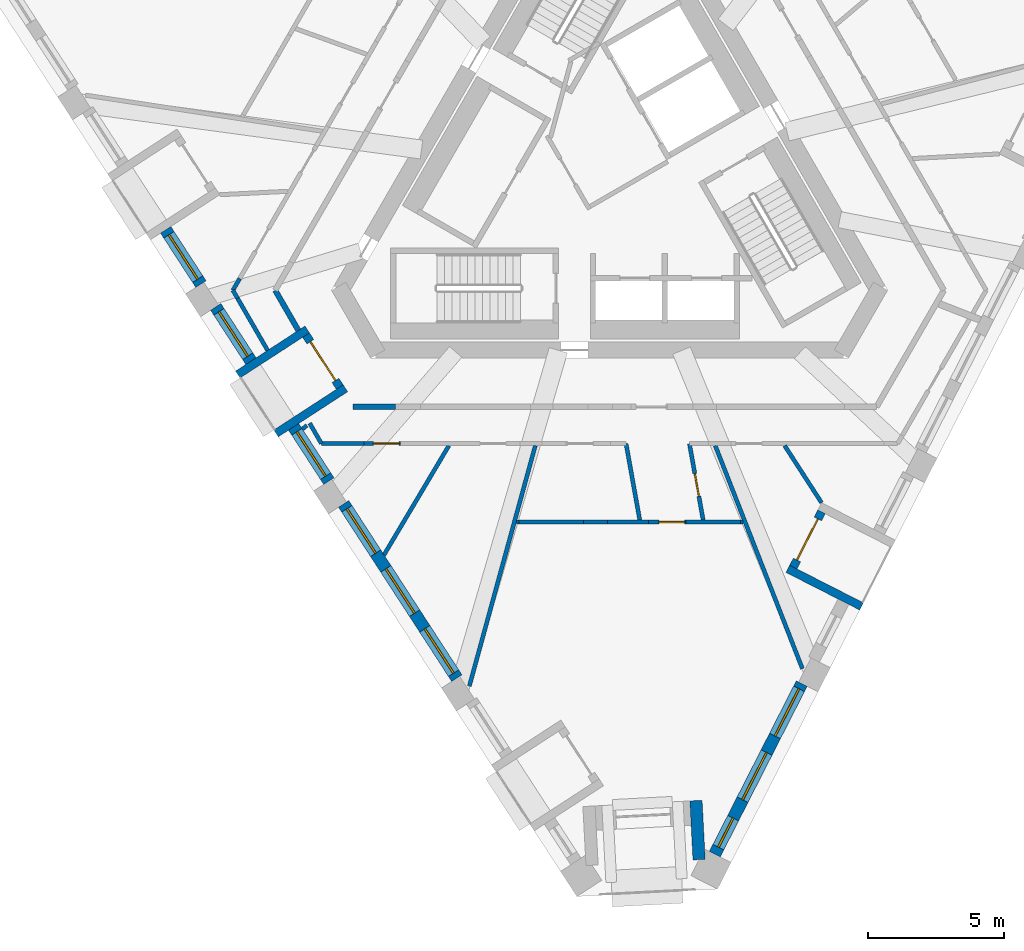
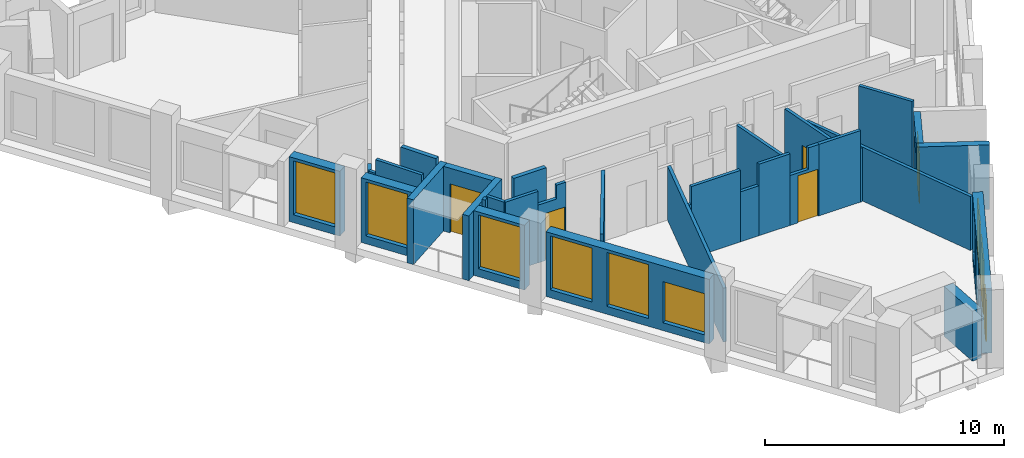
# One storey, part 2 of 12: 33 walls, 9 windows, 5 doors, 14 openings.
"""IFC4 building model written with IfcOpenShell, lengths in metres."""

from ifc_helpers import new_model, si_unit, direction, frame, frame_2d, origin, place, context, subcontext, project, spatial, polyline, rectangle, outline, extrude, material, layer, layer_set, type_object, element, fill, save


model = new_model("IFC4")

# Units and contexts
model_context = context("Model", 3, precision=1e-05, world=origin(), true_north=direction((0.0, 1.0)))
body_context = subcontext(model_context, "Body", "Model", "MODEL_VIEW")
ifc_project = project(units=[si_unit("LENGTHUNIT", "METRE"), si_unit("AREAUNIT", "SQUARE_METRE"), si_unit("VOLUMEUNIT", "CUBIC_METRE"), si_unit("PLANEANGLEUNIT", "RADIAN"), si_unit("MASSUNIT", "GRAM", prefix="KILO")], contexts=[model_context])

# Site, building, storey
site_placement = place(None, origin())
site = spatial("IfcSite", under=ifc_project, at=site_placement, CompositionType="ELEMENT")
building_placement = place(site_placement, origin())
building = spatial("IfcBuilding", under=site, at=building_placement, Name="Tramontana Tower", CompositionType="ELEMENT")
storey_placement = place(building_placement, frame((0.0, 0.0, 274.39990234375)))
storey = spatial("IfcBuildingStorey", under=building, at=storey_placement, Name="L64", CompositionType="ELEMENT", Elevation=274.39990234375)

# Walls
ifc_material_1 = material(Name="Blockwork", Category="masonry")
ifc_layer_1 = layer(ifc_material_1, 0.199951171875)
ifc_layer_set_1 = layer_set([ifc_layer_1], Name="ENTRY WALL 200")
wall_type_1 = type_object("IfcWallType", Name="ENTRY WALL 200", PredefinedType="SOLIDWALL", material=ifc_layer_set_1)
wall_1_placement = place(storey_placement, frame((-7.89599609375, -8.550048828125, 0.0), z_axis=(0.0, 0.0, 1.0), x_axis=(-1.0, 0.0, 0.0)))
element("IfcWall", 1, at=wall_1_placement, inside=storey, type_object=wall_type_1, Name="Wall v70-ew1-11", PredefinedType="SOLIDWALL", context=body_context, shape_type="SweptSolid", body=[
    extrude(rectangle(XDim=1.569580078125, YDim=0.199951171875, at=frame_2d((0.78466796875, 0.0))), origin(), (0.0, 0.0, 1.0), 3.650146484375),
])
wall_2_placement = place(storey_placement, frame((-11.472412109375, -5.729248046875, 0.0), z_axis=(0.0, 0.0, 1.0), x_axis=(-0.499982281718, 0.866035633198, 0.0)))
element("IfcWall", 2, at=wall_2_placement, inside=storey, type_object=wall_type_1, Name="Wall v70-ew2", PredefinedType="SOLIDWALL", context=body_context, shape_type="SweptSolid", body=[
    extrude(rectangle(XDim=1.7080078125, YDim=0.199951171875, at=frame_2d((0.85400390625, 0.0))), origin(), (0.0, 0.0, 1.0), 3.650146484375),
])

# Wall, opening, window
ifc_material_2 = material(Name="Precast concrete 60 MPa", Category="concrete")
ifc_layer_2 = layer(ifc_material_2, 0.449951171875)
ifc_layer_set_2 = layer_set([ifc_layer_2], Name="Precast concrete 60 MPa, 450 mm")
wall_type_2 = type_object("IfcWallType", Name="EW1 Stone-faced precast wall 450", PredefinedType="SOLIDWALL", material=ifc_layer_set_2)
wall_3_placement = place(storey_placement, frame((-16.36376953125, -2.021728515625, 0.0), z_axis=(0.0, 0.0, 1.0), x_axis=(0.544603573947, -0.838693595566, 0.0)))
wall_3 = element("IfcWall", 3, at=wall_3_placement, inside=storey, type_object=wall_type_2, Name="External wall L64 face 0 bay 2", PredefinedType="SOLIDWALL", context=body_context, shape_type="SweptSolid", body=[
    extrude(rectangle(XDim=2.38671875, YDim=0.449951171875, at=frame_2d((1.193359375, 0.0))), origin(), (0.0, 0.0, 1.0), 3.300048828125),
])
opening_1_placement = place(wall_3_placement, frame((0.21826171875, 0.0, 0.39990234375)))
opening_1 = element("IfcOpeningElement", 4, at=opening_1_placement, cuts=wall_3, Name="Opening M3", PredefinedType="OPENING", context=body_context, shape_type="SweptSolid", body=[
    extrude(rectangle(XDim=1.949951171875, YDim=2.75, at=frame_2d((0.97509765625, 1.375))), frame((0.0, 0.23486328125, 0.0), z_axis=(0.0, -1.0, 0.0), x_axis=(1.0, 0.0, 0.0)), (0.0, 0.0, 1.0), 0.469970703125),
])
ifc_material_3 = material(Name="Aluminum frame, double glazing unit", Category="aluminium")
window_type_1 = type_object("IfcWindowType", Name="M3 Window 1.95 x 2.75", PartitioningType="SINGLE_PANEL", PredefinedType="WINDOW", material=ifc_material_3)
window_1_placement = place(opening_1_placement, origin())
window_1 = element("IfcWindow", 5, at=window_1_placement, inside=storey, type_object=window_type_1, Name="Window M3 L64 face 0 module 6", OverallHeight=2.75, OverallWidth=1.949951171875, PartitioningType="SINGLE_PANEL", PredefinedType="WINDOW", context=body_context, shape_type="SweptSolid", body=[
    extrude(rectangle(XDim=1.949951171875, YDim=2.75, at=frame_2d((0.97509765625, 1.375))), frame((0.0, 0.030029296875, 0.0), z_axis=(0.0, -1.0, 0.0), x_axis=(1.0, 0.0, 0.0)), (0.0, 0.0, 1.0), 0.06005859375),
])
fill(opening_1, window_1)

wall_4_placement = place(storey_placement, frame((-14.519287109375, -4.862060546875, 0.0), z_axis=(0.0, 0.0, 1.0), x_axis=(0.544603573947, -0.838693595566, 0.0)))
wall_4 = element("IfcWall", 6, at=wall_4_placement, inside=storey, type_object=wall_type_2, Name="External wall L64 face 0 bay 3", PredefinedType="SOLIDWALL", context=body_context, shape_type="SweptSolid", body=[
    extrude(rectangle(XDim=2.38671875, YDim=0.449951171875, at=frame_2d((1.193359375, 0.0))), origin(), (0.0, 0.0, 1.0), 3.300048828125),
])
opening_2_placement = place(wall_4_placement, frame((0.21826171875, 0.0, 0.39990234375)))
opening_2 = element("IfcOpeningElement", 7, at=opening_2_placement, cuts=wall_4, Name="Opening M3", PredefinedType="OPENING", context=body_context, shape_type="SweptSolid", body=[
    extrude(rectangle(XDim=1.949951171875, YDim=2.75, at=frame_2d((0.97509765625, 1.375))), frame((0.0, 0.23486328125, 0.0), z_axis=(0.0, -1.0, 0.0), x_axis=(1.0, 0.0, 0.0)), (0.0, 0.0, 1.0), 0.469970703125),
])
window_2_placement = place(opening_2_placement, origin())
window_2 = element("IfcWindow", 8, at=window_2_placement, inside=storey, type_object=window_type_1, Name="Window M3 L64 face 0 module 7", OverallHeight=2.75, OverallWidth=1.949951171875, PartitioningType="SINGLE_PANEL", PredefinedType="WINDOW", context=body_context, shape_type="SweptSolid", body=[
    extrude(rectangle(XDim=1.949951171875, YDim=2.75, at=frame_2d((0.97509765625, 1.375))), frame((0.0, 0.030029296875, 0.0), z_axis=(0.0, -1.0, 0.0), x_axis=(1.0, 0.0, 0.0)), (0.0, 0.0, 1.0), 0.06005859375),
])
fill(opening_2, window_2)

wall_5_placement = place(storey_placement, frame((-11.647216796875, -9.284912109375, 0.0), z_axis=(0.0, 0.0, 1.0), x_axis=(0.544722247615, -0.838616523182, 0.0)))
wall_5 = element("IfcWall", 9, at=wall_5_placement, inside=storey, type_object=wall_type_2, Name="External wall L64 face 0 bay 3", PredefinedType="SOLIDWALL", context=body_context, shape_type="SweptSolid", body=[
    extrude(rectangle(XDim=2.38671875, YDim=0.449951171875, at=frame_2d((1.193359375, 0.0))), origin(), (0.0, 0.0, 1.0), 3.300048828125),
])
opening_3_placement = place(wall_5_placement, frame((0.21826171875, 0.0, 0.39990234375)))
opening_3 = element("IfcOpeningElement", 10, at=opening_3_placement, cuts=wall_5, Name="Opening M3", PredefinedType="OPENING", context=body_context, shape_type="SweptSolid", body=[
    extrude(rectangle(XDim=1.949951171875, YDim=2.75, at=frame_2d((0.97509765625, 1.375))), frame((0.0, 0.23486328125, 0.0), z_axis=(0.0, -1.0, 0.0), x_axis=(1.0, 0.0, 0.0)), (0.0, 0.0, 1.0), 0.469970703125),
])
window_3_placement = place(opening_3_placement, origin())
window_3 = element("IfcWindow", 11, at=window_3_placement, inside=storey, type_object=window_type_1, Name="Window M3 L64 face 0 module 9", OverallHeight=2.75, OverallWidth=1.949951171875, PartitioningType="SINGLE_PANEL", PredefinedType="WINDOW", context=body_context, shape_type="SweptSolid", body=[
    extrude(rectangle(XDim=1.949951171875, YDim=2.75, at=frame_2d((0.97509765625, 1.375))), frame((0.0, 0.030029296875, 0.0), z_axis=(0.0, -1.0, 0.0), x_axis=(1.0, 0.0, 0.0)), (0.0, 0.0, 1.0), 0.06005859375),
])
fill(opening_3, window_3)

# Wall, openings, windows
wall_6_placement = place(storey_placement, frame((-9.802734375, -12.125244140625, 0.0), z_axis=(0.0, 0.0, 1.0), x_axis=(0.544649987904, -0.838663454954, 0.0)))
wall_6 = element("IfcWall", 12, at=wall_6_placement, inside=storey, type_object=wall_type_2, Name="External wall L64 face 0 bay 4", PredefinedType="SOLIDWALL", context=body_context, shape_type="SweptSolid", body=[
    extrude(rectangle(XDim=7.66015625, YDim=0.449951171875, at=frame_2d((3.830078125, 0.0))), origin(), (0.0, 0.0, 1.0), 3.300048828125),
])
opening_4_placement = place(wall_6_placement, frame((0.21826171875, 0.0, 0.39990234375)))
opening_4 = element("IfcOpeningElement", 13, at=opening_4_placement, cuts=wall_6, Name="Opening M3", PredefinedType="OPENING", context=body_context, shape_type="SweptSolid", body=[
    extrude(rectangle(XDim=1.949951171875, YDim=2.75, at=frame_2d((0.97509765625, 1.375))), frame((0.0, 0.23486328125, 0.0), z_axis=(0.0, -1.0, 0.0), x_axis=(1.0, 0.0, 0.0)), (0.0, 0.0, 1.0), 0.469970703125),
])
opening_5_placement = place(wall_6_placement, frame((2.855224609375, 0.0, 0.39990234375)))
opening_5 = element("IfcOpeningElement", 14, at=opening_5_placement, cuts=wall_6, Name="Opening M3", PredefinedType="OPENING", context=body_context, shape_type="SweptSolid", body=[
    extrude(rectangle(XDim=1.949951171875, YDim=2.75, at=frame_2d((0.97509765625, 1.375))), frame((0.0, 0.23486328125, 0.0), z_axis=(0.0, -1.0, 0.0), x_axis=(1.0, 0.0, 0.0)), (0.0, 0.0, 1.0), 0.469970703125),
])
opening_6_placement = place(wall_6_placement, frame((5.491943359375, 0.0, 0.39990234375)))
opening_6 = element("IfcOpeningElement", 15, at=opening_6_placement, cuts=wall_6, Name="Opening M3L", PredefinedType="OPENING", context=body_context, shape_type="SweptSolid", body=[
    extrude(rectangle(XDim=1.949951171875, YDim=2.10009765625, at=frame_2d((0.97509765625, 1.050048828125))), frame((0.0, 0.23486328125, 0.0), z_axis=(0.0, -1.0, 0.0), x_axis=(1.0, 0.0, 0.0)), (0.0, 0.0, 1.0), 0.469970703125),
])
window_4_placement = place(opening_4_placement, origin())
window_4 = element("IfcWindow", 16, at=window_4_placement, inside=storey, type_object=window_type_1, Name="Window M3 L64 face 0 module 10", OverallHeight=2.75, OverallWidth=1.949951171875, PartitioningType="SINGLE_PANEL", PredefinedType="WINDOW", context=body_context, shape_type="SweptSolid", body=[
    extrude(rectangle(XDim=1.949951171875, YDim=2.75, at=frame_2d((0.97509765625, 1.375))), frame((0.0, 0.030029296875, 0.0), z_axis=(0.0, -1.0, 0.0), x_axis=(1.0, 0.0, 0.0)), (0.0, 0.0, 1.0), 0.06005859375),
])
fill(opening_4, window_4)
window_5_placement = place(opening_5_placement, origin())
window_5 = element("IfcWindow", 17, at=window_5_placement, inside=storey, type_object=window_type_1, Name="Window M3 L64 face 0 module 11", OverallHeight=2.75, OverallWidth=1.949951171875, PartitioningType="SINGLE_PANEL", PredefinedType="WINDOW", context=body_context, shape_type="SweptSolid", body=[
    extrude(rectangle(XDim=1.949951171875, YDim=2.75, at=frame_2d((0.97509765625, 1.375))), frame((0.0, 0.030029296875, 0.0), z_axis=(0.0, -1.0, 0.0), x_axis=(1.0, 0.0, 0.0)), (0.0, 0.0, 1.0), 0.06005859375),
])
fill(opening_5, window_5)
ifc_material_4 = material(Name="Aluminum frame, double glazing unit", Category="aluminium")
window_type_2 = type_object("IfcWindowType", Name="M3L Window 1.95 x 2.1", PartitioningType="SINGLE_PANEL", PredefinedType="WINDOW", material=ifc_material_4)
window_6_placement = place(opening_6_placement, origin())
window_6 = element("IfcWindow", 18, at=window_6_placement, inside=storey, type_object=window_type_2, Name="Window M3L L64 face 0 module 12", OverallHeight=2.10009765625, OverallWidth=1.949951171875, PartitioningType="SINGLE_PANEL", PredefinedType="WINDOW", context=body_context, shape_type="SweptSolid", body=[
    extrude(rectangle(XDim=1.949951171875, YDim=2.10009765625, at=frame_2d((0.97509765625, 1.050048828125))), frame((0.0, 0.030029296875, 0.0), z_axis=(0.0, -1.0, 0.0), x_axis=(1.0, 0.0, 0.0)), (0.0, 0.0, 1.0), 0.06005859375),
])
fill(opening_6, window_6)

wall_7_placement = place(storey_placement, frame((3.87939453125, -25.041259765625, 0.0), z_axis=(0.0, 0.0, 1.0), x_axis=(0.453992084912, 0.891005716501, 0.0)))
wall_7 = element("IfcWall", 19, at=wall_7_placement, inside=storey, type_object=wall_type_2, Name="External wall L64 face 1 bay 1", PredefinedType="SOLIDWALL", context=body_context, shape_type="SweptSolid", body=[
    extrude(rectangle(XDim=7.060302734375, YDim=0.449951171875, at=frame_2d((3.5302734375, 0.0))), origin(), (0.0, 0.0, 1.0), 3.300048828125),
])
opening_7_placement = place(wall_7_placement, frame((0.29345703125, 0.0, 0.39990234375)))
opening_7 = element("IfcOpeningElement", 20, at=opening_7_placement, cuts=wall_7, Name="Opening N3L", PredefinedType="OPENING", context=body_context, shape_type="SweptSolid", body=[
    extrude(rectangle(XDim=1.199951171875, YDim=2.10009765625, at=frame_2d((0.60009765625, 1.050048828125))), frame((0.0, 0.23486328125, 0.0), z_axis=(0.0, -1.0, 0.0), x_axis=(1.0, 0.0, 0.0)), (0.0, 0.0, 1.0), 0.469970703125),
])
opening_8_placement = place(wall_7_placement, frame((2.255126953125, 0.0, 0.39990234375)))
opening_8 = element("IfcOpeningElement", 21, at=opening_8_placement, cuts=wall_7, Name="Opening M3", PredefinedType="OPENING", context=body_context, shape_type="SweptSolid", body=[
    extrude(rectangle(XDim=1.949951171875, YDim=2.75, at=frame_2d((0.97509765625, 1.375))), frame((0.0, 0.23486328125, 0.0), z_axis=(0.0, -1.0, 0.0), x_axis=(1.0, 0.0, 0.0)), (0.0, 0.0, 1.0), 0.469970703125),
])
opening_9_placement = place(wall_7_placement, frame((4.891845703125, 0.0, 0.39990234375)))
opening_9 = element("IfcOpeningElement", 22, at=opening_9_placement, cuts=wall_7, Name="Opening M3", PredefinedType="OPENING", context=body_context, shape_type="SweptSolid", body=[
    extrude(rectangle(XDim=1.949951171875, YDim=2.75, at=frame_2d((0.97509765625, 1.375))), frame((0.0, 0.23486328125, 0.0), z_axis=(0.0, -1.0, 0.0), x_axis=(1.0, 0.0, 0.0)), (0.0, 0.0, 1.0), 0.469970703125),
])
window_7_placement = place(opening_8_placement, origin())
window_7 = element("IfcWindow", 23, at=window_7_placement, inside=storey, type_object=window_type_1, Name="Window M3 L64 face 1 module 2", OverallHeight=2.75, OverallWidth=1.949951171875, PartitioningType="SINGLE_PANEL", PredefinedType="WINDOW", context=body_context, shape_type="SweptSolid", body=[
    extrude(rectangle(XDim=1.949951171875, YDim=2.75, at=frame_2d((0.97509765625, 1.375))), frame((0.0, 0.030029296875, 0.0), z_axis=(0.0, -1.0, 0.0), x_axis=(1.0, 0.0, 0.0)), (0.0, 0.0, 1.0), 0.06005859375),
])
fill(opening_8, window_7)
window_8_placement = place(opening_9_placement, origin())
window_8 = element("IfcWindow", 24, at=window_8_placement, inside=storey, type_object=window_type_1, Name="Window M3 L64 face 1 module 3", OverallHeight=2.75, OverallWidth=1.949951171875, PartitioningType="SINGLE_PANEL", PredefinedType="WINDOW", context=body_context, shape_type="SweptSolid", body=[
    extrude(rectangle(XDim=1.949951171875, YDim=2.75, at=frame_2d((0.97509765625, 1.375))), frame((0.0, 0.030029296875, 0.0), z_axis=(0.0, -1.0, 0.0), x_axis=(1.0, 0.0, 0.0)), (0.0, 0.0, 1.0), 0.06005859375),
])
fill(opening_9, window_8)
ifc_material_5 = material(Name="Aluminum frame, double glazing unit", Category="aluminium")
window_type_3 = type_object("IfcWindowType", Name="N3L Window 1.2 x 2.1", PartitioningType="SINGLE_PANEL", PredefinedType="WINDOW", material=ifc_material_5)
window_9_placement = place(opening_7_placement, origin())
window_9 = element("IfcWindow", 25, at=window_9_placement, inside=storey, type_object=window_type_3, Name="Window N3L L64 face 1 module 1", OverallHeight=2.10009765625, OverallWidth=1.199951171875, PartitioningType="SINGLE_PANEL", PredefinedType="WINDOW", context=body_context, shape_type="SweptSolid", body=[
    extrude(rectangle(XDim=1.199951171875, YDim=2.10009765625, at=frame_2d((0.60009765625, 1.050048828125))), frame((0.0, 0.030029296875, 0.0), z_axis=(0.0, -1.0, 0.0), x_axis=(1.0, 0.0, 0.0)), (0.0, 0.0, 1.0), 0.06005859375),
])
fill(opening_7, window_9)

# Wall
wall_8_placement = place(storey_placement, frame((3.300537109375, -25.240966796875, 0.0), z_axis=(0.0, 0.0, 1.0), x_axis=(-0.052323605405, 0.998630181958, 0.0)))
element("IfcWall", 26, at=wall_8_placement, inside=storey, type_object=wall_type_2, Name="Corner loggia side wall L64 K71l", PredefinedType="SOLIDWALL", context=body_context, shape_type="SweptSolid", body=[
    extrude(rectangle(XDim=2.178955078125, YDim=0.449951171875, at=frame_2d((1.08935546875, 0.0))), origin(), (0.0, 0.0, 1.0), 2.550048828125),
])

# Wall, opening, door
ifc_material_6 = material(Name="Precast concrete 60 MPa", Category="concrete")
ifc_layer_3 = layer(ifc_material_6, 0.300048828125)
ifc_layer_set_3 = layer_set([ifc_layer_3], Name="LW1 Stone-faced loggia wall 300")
wall_type_3 = type_object("IfcWallType", Name="LW1 Stone-faced loggia wall 300", PredefinedType="SOLIDWALL", material=ifc_layer_set_3)
wall_9_placement = place(storey_placement, frame((-11.18994140625, -5.903564453125, 0.0), z_axis=(0.0, 0.0, 1.0), x_axis=(0.544631777146, -0.838675281216, 0.0)))
wall_9 = element("IfcWall", 27, at=wall_9_placement, inside=storey, type_object=wall_type_3, Name="Loggia wall L64 G7S0.7", PredefinedType="SOLIDWALL", context=body_context, shape_type="SweptSolid", body=[
    extrude(rectangle(XDim=2.28662109375, YDim=0.300048828125, at=frame_2d((1.143310546875, 0.0))), origin(), (0.0, 0.0, 1.0), 3.300048828125),
])
opening_10_placement = place(wall_9_placement, frame((0.29345703125, 0.0, 0.0)))
opening_10 = element("IfcOpeningElement", 28, at=opening_10_placement, cuts=wall_9, Name="Opening BD-7S0-07", PredefinedType="OPENING", context=body_context, shape_type="SweptSolid", body=[
    extrude(rectangle(XDim=1.699951171875, YDim=2.5, at=frame_2d((0.85009765625, 1.25))), frame((0.0, 0.159912109375, 0.0), z_axis=(0.0, -1.0, 0.0), x_axis=(1.0, 0.0, 0.0)), (0.0, 0.0, 1.0), 0.320068359375),
])
ifc_material_7 = material(Name="Aluminum frame, double glazing unit", Category="aluminium")
door_type_1 = type_object("IfcDoorType", Name="BD3 Sliding door 1.7 x 2.5", OperationType="SLIDING_TO_LEFT", PredefinedType="DOOR", material=ifc_material_7)
door_1_placement = place(opening_10_placement, origin())
door_1 = element("IfcDoor", 29, at=door_1_placement, inside=storey, type_object=door_type_1, Name="Loggia door L64 G7S0.7", OperationType="SLIDING_TO_LEFT", OverallHeight=2.5, OverallWidth=1.699951171875, PredefinedType="DOOR", context=body_context, shape_type="SweptSolid", body=[
    extrude(rectangle(XDim=1.699951171875, YDim=2.5, at=frame_2d((0.85009765625, 1.25))), frame((0.0, 0.02490234375, 0.0), z_axis=(0.0, -1.0, 0.0), x_axis=(1.0, 0.0, 0.0)), (0.0, 0.0, 1.0), 0.050048828125),
])
fill(opening_10, door_1)

# Walls
wall_10_placement = place(storey_placement, frame((-13.703857421875, -7.357177734375, 0.0), z_axis=(0.0, 0.0, 1.0), x_axis=(0.838688583525, 0.544611292451, 0.0)))
element("IfcWall", 30, at=wall_10_placement, inside=storey, type_object=wall_type_3, Name="Loggia return L64 G7S0.7a", PredefinedType="SOLIDWALL", context=body_context, shape_type="SweptSolid", body=[
    extrude(rectangle(XDim=3.050048828125, YDim=0.300048828125, at=frame_2d((1.52490234375, 0.0))), origin(), (0.0, 0.0, 1.0), 3.300048828125),
])
wall_11_placement = place(storey_placement, frame((-12.294921875, -9.526611328125, 0.0), z_axis=(0.0, 0.0, 1.0), x_axis=(0.838664840319, 0.544647854685, 0.0)))
element("IfcWall", 31, at=wall_11_placement, inside=storey, type_object=wall_type_3, Name="Loggia return L64 G7S0.7b", PredefinedType="SOLIDWALL", context=body_context, shape_type="SweptSolid", body=[
    extrude(rectangle(XDim=3.0498046875, YDim=0.300048828125, at=frame_2d((1.52490234375, 0.0))), origin(), (0.0, 0.0, 1.0), 3.300048828125),
])

# Wall, opening, door
wall_12_placement = place(storey_placement, frame((6.77587890625, -14.455322265625, 0.0), z_axis=(0.0, 0.0, 1.0), x_axis=(0.454076116559, 0.890962895058, 0.0)))
wall_12 = element("IfcWall", 32, at=wall_12_placement, inside=storey, type_object=wall_type_3, Name="Loggia wall L64 G7S1.4", PredefinedType="SOLIDWALL", context=body_context, shape_type="SweptSolid", body=[
    extrude(rectangle(XDim=2.28662109375, YDim=0.300048828125, at=frame_2d((1.143310546875, 0.0))), origin(), (0.0, 0.0, 1.0), 3.300048828125),
])
opening_11_placement = place(wall_12_placement, frame((0.29345703125, 0.0, 0.0)))
opening_11 = element("IfcOpeningElement", 33, at=opening_11_placement, cuts=wall_12, Name="Opening BD-7S1-04", PredefinedType="OPENING", context=body_context, shape_type="SweptSolid", body=[
    extrude(rectangle(XDim=1.699951171875, YDim=2.5, at=frame_2d((0.85009765625, 1.25))), frame((0.0, 0.159912109375, 0.0), z_axis=(0.0, -1.0, 0.0), x_axis=(1.0, 0.0, 0.0)), (0.0, 0.0, 1.0), 0.320068359375),
])
door_2_placement = place(opening_11_placement, origin())
door_2 = element("IfcDoor", 34, at=door_2_placement, inside=storey, type_object=door_type_1, Name="Loggia door L64 G7S1.4", OperationType="SLIDING_TO_LEFT", OverallHeight=2.5, OverallWidth=1.699951171875, PredefinedType="DOOR", context=body_context, shape_type="SweptSolid", body=[
    extrude(rectangle(XDim=1.699951171875, YDim=2.5, at=frame_2d((0.85009765625, 1.25))), frame((0.0, 0.02490234375, 0.0), z_axis=(0.0, -1.0, 0.0), x_axis=(1.0, 0.0, 0.0)), (0.0, 0.0, 1.0), 0.050048828125),
])
fill(opening_11, door_2)

# Walls
wall_13_placement = place(storey_placement, frame((9.291748046875, -15.905517578125, 0.0), z_axis=(0.0, 0.0, 1.0), x_axis=(-0.891023613249, 0.453956959009, 0.0)))
element("IfcWall", 35, at=wall_13_placement, inside=storey, type_object=wall_type_3, Name="Loggia return L64 G7S1.4a", PredefinedType="SOLIDWALL", context=body_context, shape_type="SweptSolid", body=[
    extrude(rectangle(XDim=3.0498046875, YDim=0.300048828125, at=frame_2d((1.52490234375, 0.0))), origin(), (0.0, 0.0, 1.0), 3.300048828125),
])
ifc_material_8 = material(Name="Gypsum board partition")
ifc_layer_4 = layer(ifc_material_8, 0.14990234375)
ifc_layer_set_4 = layer_set([ifc_layer_4], Name="PARTITION 150")
wall_type_4 = type_object("IfcWallType", Name="PARTITION 150", PredefinedType="PARTITIONING", material=ifc_layer_set_4)
wall_14_placement = place(storey_placement, frame((-13.88525390625, -4.25, 0.0), z_axis=(0.0, 0.0, 1.0), x_axis=(0.499904868165, 0.866080321209, 0.0)))
element("IfcWall", 36, at=wall_14_placement, inside=storey, type_object=wall_type_4, Name="Wall v70-pw00-0", PredefinedType="PARTITIONING", context=body_context, shape_type="SweptSolid", body=[
    extrude(rectangle(XDim=0.501953125, YDim=0.14990234375, at=frame_2d((0.2509765625, 0.0))), origin(), (0.0, 0.0, 1.0), 2.9501953125),
])
wall_15_placement = place(storey_placement, frame((-12.606201171875, -6.46533203125, 0.0), z_axis=(0.0, 0.0, 1.0), x_axis=(-0.500024353964, 0.86601134256, 0.0)))
element("IfcWall", 37, at=wall_15_placement, inside=storey, type_object=wall_type_4, Name="Wall v70-pw03-0", PredefinedType="PARTITIONING", context=body_context, shape_type="SweptSolid", body=[
    extrude(rectangle(XDim=2.216796875, YDim=0.14990234375, at=frame_2d((1.1083984375, 0.0))), origin(), (0.0, 0.0, 1.0), 3.650146484375),
])
wall_16_placement = place(storey_placement, frame((-13.714599609375, -4.545654296875, 0.0), z_axis=(0.0, 0.0, 1.0), x_axis=(-0.499908181442, 0.866078408764, 0.0)))
element("IfcWall", 38, at=wall_16_placement, inside=storey, type_object=wall_type_4, Name="Wall v70-pw03-1", PredefinedType="PARTITIONING", context=body_context, shape_type="SweptSolid", body=[
    extrude(rectangle(XDim=0.34130859375, YDim=0.14990234375, at=frame_2d((0.170654296875, 0.0))), origin(), (0.0, 0.0, 1.0), 2.9501953125),
])
wall_17_placement = place(storey_placement, frame((-11.158935546875, -9.23193359375, 0.0), z_axis=(0.0, 0.0, 1.0), x_axis=(-0.770548519297, -0.637381345357, 0.0)))
element("IfcWall", 39, at=wall_17_placement, inside=storey, type_object=wall_type_4, Name="Wall v70-pw05", PredefinedType="PARTITIONING", context=body_context, shape_type="SweptSolid", body=[
    extrude(rectangle(XDim=0.214599609375, YDim=0.14990234375, at=frame_2d((0.107421875, 0.0))), origin(), (0.0, 0.0, 1.0), 3.650146484375),
])
wall_18_placement = place(storey_placement, frame((-10.623291015625, -9.89990234375, 0.0), z_axis=(0.0, 0.0, 1.0), x_axis=(-0.499999740363, 0.866025553686, 0.0)))
element("IfcWall", 40, at=wall_18_placement, inside=storey, type_object=wall_type_4, Name="Wall v70-pw06", PredefinedType="PARTITIONING", context=body_context, shape_type="SweptSolid", body=[
    extrude(rectangle(XDim=0.86376953125, YDim=0.14990234375, at=frame_2d((0.431884765625, 0.0))), origin(), (0.0, 0.0, 1.0), 3.650146484375),
])
wall_19_placement = place(storey_placement, frame((-8.31396484375, -14.00439453125, 0.0), z_axis=(0.0, 0.0, 1.0), x_axis=(0.510490601778, 0.859883332491, 0.0)))
element("IfcWall", 41, at=wall_19_placement, inside=storey, type_object=wall_type_4, Name="Wall v70-pw09", PredefinedType="PARTITIONING", context=body_context, shape_type="SweptSolid", body=[
    extrude(rectangle(XDim=4.685791015625, YDim=0.14990234375, at=frame_2d((2.3427734375, 0.0))), origin(), (0.0, 0.0, 1.0), 3.650146484375),
])
wall_20_placement = place(storey_placement, frame((-5.16943359375, -18.846435546875, 0.0), z_axis=(0.0, 0.0, 1.0), x_axis=(0.264522923164, 0.964379397914, 0.0)))
element("IfcWall", 42, at=wall_20_placement, inside=storey, type_object=wall_type_4, Name="Wall v70-pw11-0", PredefinedType="PARTITIONING", context=body_context, shape_type="SweptSolid", body=[
    extrude(rectangle(XDim=9.198974609375, YDim=0.14990234375, at=frame_2d((4.599609375, 0.0))), origin(), (0.0, 0.0, 1.0), 2.75),
])

# Wall, opening, door
wall_21_placement = place(storey_placement, frame((-7.703857421875, -9.89990234375, 0.0), z_axis=(0.0, 0.0, 1.0), x_axis=(-1.0, 0.0, 0.0)))
wall_21 = element("IfcWall", 43, at=wall_21_placement, inside=storey, type_object=wall_type_4, Name="Wall v70-pw14-5", PredefinedType="PARTITIONING", context=body_context, shape_type="SweptSolid", body=[
    extrude(outline(polyline([(0.0, 0.0), (1.348876953125, 0.0), (1.34912109375, 2.9501953125), (0.45458984375, 2.9501953125), (0.45458984375, 3.650146484375), (0.0, 3.650146484375), (0.0, 0.0)])), frame((0.0, 0.074951171875, 0.0), z_axis=(0.0, -1.0, 0.0), x_axis=(1.0, 0.0, 0.0)), (0.0, 0.0, 1.0), 0.14990234375),
])
opening_12_placement = place(wall_21_placement, frame((0.050048828125, 0.0, 0.0)))
opening_12 = element("IfcOpeningElement", 44, at=opening_12_placement, cuts=wall_21, Name="Opening B7A-11", PredefinedType="OPENING", context=body_context, shape_type="SweptSolid", body=[
    extrude(rectangle(XDim=0.949951171875, YDim=2.39990234375, at=frame_2d((0.47509765625, 1.199951171875))), frame((0.0, 0.0849609375, 0.0), z_axis=(0.0, -1.0, 0.0), x_axis=(1.0, 0.0, 0.0)), (0.0, 0.0, 1.0), 0.169921875),
])
ifc_material_9 = material(Name="Painted timber", Category="wood")
door_type_2 = type_object("IfcDoorType", Name="DOOR ROOM 950", OperationType="SINGLE_SWING_LEFT", PredefinedType="DOOR", material=ifc_material_9)
door_3_placement = place(opening_12_placement, origin())
door_3 = element("IfcDoor", 45, at=door_3_placement, inside=storey, type_object=door_type_2, Name="Door B7A-11", OperationType="SINGLE_SWING_LEFT", OverallHeight=2.39990234375, OverallWidth=0.949951171875, PredefinedType="DOOR", context=body_context, shape_type="SweptSolid", body=[
    extrude(rectangle(XDim=0.949951171875, YDim=2.39990234375, at=frame_2d((0.47509765625, 1.199951171875))), frame((0.0, 0.02490234375, 0.0), z_axis=(0.0, -1.0, 0.0), x_axis=(1.0, 0.0, 0.0)), (0.0, 0.0, 1.0), 0.050048828125),
])
fill(opening_12, door_3)

# Walls
wall_22_placement = place(storey_placement, frame((-9.052734375, -9.89990234375, 0.0), z_axis=(0.0, 0.0, 1.0), x_axis=(-1.0, 0.0, 0.0)))
element("IfcWall", 46, at=wall_22_placement, inside=storey, type_object=wall_type_4, Name="Wall v70-pw14-6", PredefinedType="PARTITIONING", context=body_context, shape_type="SweptSolid", body=[
    extrude(rectangle(XDim=1.5703125, YDim=0.14990234375, at=frame_2d((0.78515625, 0.0))), origin(), (0.0, 0.0, 1.0), 3.650146484375),
])
wall_23_placement = place(storey_placement, frame((1.1279296875, -12.797119140625, 0.0), z_axis=(0.0, 0.0, 1.0), x_axis=(-0.176626932502, 0.984277870682, 0.0)))
element("IfcWall", 47, at=wall_23_placement, inside=storey, type_object=wall_type_4, Name="Wall v70-pw16", PredefinedType="PARTITIONING", context=body_context, shape_type="SweptSolid", body=[
    extrude(rectangle(XDim=2.93994140625, YDim=0.14990234375, at=frame_2d((1.469970703125, 0.0))), origin(), (0.0, 0.0, 1.0), 3.650146484375),
])

# Wall, opening, door
wall_24_placement = place(storey_placement, frame((2.945556640625, -9.90478515625, 0.0), z_axis=(0.0, 0.0, 1.0), x_axis=(0.17664289563, -0.984275005993, 0.0)))
wall_24 = element("IfcWall", 48, at=wall_24_placement, inside=storey, type_object=wall_type_4, Name="Wall v70-pw17", PredefinedType="PARTITIONING", context=body_context, shape_type="SweptSolid", body=[
    extrude(rectangle(XDim=2.865234375, YDim=0.14990234375, at=frame_2d((1.4326171875, 0.0))), origin(), (0.0, 0.0, 1.0), 3.650146484375),
])
opening_13_placement = place(wall_24_placement, frame((1.1201171875, 0.0, 0.0)))
opening_13 = element("IfcOpeningElement", 49, at=opening_13_placement, cuts=wall_24, Name="Opening B7A-08", PredefinedType="OPENING", context=body_context, shape_type="SweptSolid", body=[
    extrude(rectangle(XDim=0.85009765625, YDim=2.39990234375, at=frame_2d((0.425048828125, 1.199951171875))), frame((0.0, 0.0849609375, 0.0), z_axis=(0.0, -1.0, 0.0), x_axis=(1.0, 0.0, 0.0)), (0.0, 0.0, 1.0), 0.169921875),
])
ifc_material_10 = material(Name="Painted timber", Category="wood")
door_type_3 = type_object("IfcDoorType", Name="DOOR BATH 850", OperationType="SINGLE_SWING_LEFT", PredefinedType="DOOR", material=ifc_material_10)
door_4_placement = place(opening_13_placement, origin())
door_4 = element("IfcDoor", 50, at=door_4_placement, inside=storey, type_object=door_type_3, Name="Door B7A-08", OperationType="SINGLE_SWING_RIGHT", OverallHeight=2.39990234375, OverallWidth=0.85009765625, PredefinedType="DOOR", context=body_context, shape_type="SweptSolid", body=[
    extrude(rectangle(XDim=0.85009765625, YDim=2.39990234375, at=frame_2d((0.425048828125, 1.199951171875))), frame((0.0, 0.02490234375, 0.0), z_axis=(0.0, -1.0, 0.0), x_axis=(1.0, 0.0, 0.0)), (0.0, 0.0, 1.0), 0.050048828125),
])
fill(opening_13, door_4)

# Walls
wall_25_placement = place(storey_placement, frame((3.89697265625, -9.97509765625, 0.0), z_axis=(0.0, 0.0, 1.0), x_axis=(0.363873008582, -0.931448567354, 0.0)))
element("IfcWall", 51, at=wall_25_placement, inside=storey, type_object=wall_type_4, Name="Wall v70-pw19-0", PredefinedType="PARTITIONING", context=body_context, shape_type="SweptSolid", body=[
    extrude(rectangle(XDim=8.8330078125, YDim=0.14990234375, at=frame_2d((4.41650390625, 0.0))), origin(), (0.0, 0.0, 1.0), 2.75),
])
wall_26_placement = place(storey_placement, frame((4.919921875, -12.800048828125, 0.0), z_axis=(0.0, 0.0, 1.0), x_axis=(-1.0, 0.0, 0.0)))
element("IfcWall", 52, at=wall_26_placement, inside=storey, type_object=wall_type_4, Name="Wall v70-pw20-0", PredefinedType="PARTITIONING", context=body_context, shape_type="SweptSolid", body=[
    extrude(rectangle(XDim=0.09033203125, YDim=0.14990234375, at=frame_2d((0.045166015625, 0.0))), origin(), (0.0, 0.0, 1.0), 2.75),
])
wall_27_placement = place(storey_placement, frame((4.82958984375, -12.800048828125, 0.0), z_axis=(0.0, 0.0, 1.0), x_axis=(-1.0, 0.0, 0.0)))
element("IfcWall", 53, at=wall_27_placement, inside=storey, type_object=wall_type_4, Name="Wall v70-pw20-1", PredefinedType="PARTITIONING", context=body_context, shape_type="SweptSolid", body=[
    extrude(rectangle(XDim=2.008056640625, YDim=0.14990234375, at=frame_2d((1.00390625, 0.0))), origin(), (0.0, 0.0, 1.0), 3.650146484375),
])

# Wall, opening, door
wall_28_placement = place(storey_placement, frame((2.821533203125, -12.800048828125, 0.0), z_axis=(0.0, 0.0, 1.0), x_axis=(-1.0, 0.0, 0.0)))
wall_28 = element("IfcWall", 54, at=wall_28_placement, inside=storey, type_object=wall_type_4, Name="Wall v70-pw20-2", PredefinedType="PARTITIONING", context=body_context, shape_type="SweptSolid", body=[
    extrude(outline(polyline([(0.0, 0.0), (1.392333984375, 0.0), (1.392333984375, 2.550048828125), (0.508056640625, 2.550048828125), (0.508056640625, 3.650146484375), (0.0, 3.650146484375), (0.0, 0.0)])), frame((0.0, 0.074951171875, 0.0), z_axis=(0.0, -1.0, 0.0), x_axis=(1.0, 0.0, 0.0)), (0.0, 0.0, 1.0), 0.14990234375),
])
opening_14_placement = place(wall_28_placement, frame((0.050048828125, 0.0, 0.0)))
opening_14 = element("IfcOpeningElement", 55, at=opening_14_placement, cuts=wall_28, Name="Opening B7A-09", PredefinedType="OPENING", context=body_context, shape_type="SweptSolid", body=[
    extrude(rectangle(XDim=0.949951171875, YDim=2.39990234375, at=frame_2d((0.47509765625, 1.199951171875))), frame((0.0, 0.0849609375, 0.0), z_axis=(0.0, -1.0, 0.0), x_axis=(1.0, 0.0, 0.0)), (0.0, 0.0, 1.0), 0.169921875),
])
door_5_placement = place(opening_14_placement, origin())
door_5 = element("IfcDoor", 56, at=door_5_placement, inside=storey, type_object=door_type_2, Name="Door B7A-09", OperationType="SINGLE_SWING_LEFT", OverallHeight=2.39990234375, OverallWidth=0.949951171875, PredefinedType="DOOR", context=body_context, shape_type="SweptSolid", body=[
    extrude(rectangle(XDim=0.949951171875, YDim=2.39990234375, at=frame_2d((0.47509765625, 1.199951171875))), frame((0.0, 0.02490234375, 0.0), z_axis=(0.0, -1.0, 0.0), x_axis=(1.0, 0.0, 0.0)), (0.0, 0.0, 1.0), 0.050048828125),
])
fill(opening_14, door_5)

# Walls
wall_29_placement = place(storey_placement, frame((1.42919921875, -12.800048828125, 0.0), z_axis=(0.0, 0.0, 1.0), x_axis=(-1.0, 0.0, 0.0)))
element("IfcWall", 57, at=wall_29_placement, inside=storey, type_object=wall_type_4, Name="Wall v70-pw20-3", PredefinedType="PARTITIONING", context=body_context, shape_type="SweptSolid", body=[
    extrude(rectangle(XDim=1.509521484375, YDim=0.14990234375, at=frame_2d((0.7548828125, 0.0))), origin(), (0.0, 0.0, 1.0), 3.650146484375),
])
wall_30_placement = place(storey_placement, frame((-0.080322265625, -12.800048828125, 0.0), z_axis=(0.0, 0.0, 1.0), x_axis=(-1.0, 0.0, 0.0)))
element("IfcWall", 58, at=wall_30_placement, inside=storey, type_object=wall_type_4, Name="Wall v70-pw20-4", PredefinedType="PARTITIONING", context=body_context, shape_type="SweptSolid", body=[
    extrude(rectangle(XDim=0.875732421875, YDim=0.14990234375, at=frame_2d((0.43798828125, 0.0))), origin(), (0.0, 0.0, 1.0), 2.550048828125),
])
wall_31_placement = place(storey_placement, frame((-0.9560546875, -12.800048828125, 0.0), z_axis=(0.0, 0.0, 1.0), x_axis=(-1.0, 0.0, 0.0)))
element("IfcWall", 59, at=wall_31_placement, inside=storey, type_object=wall_type_4, Name="Wall v70-pw20-5", PredefinedType="PARTITIONING", context=body_context, shape_type="SweptSolid", body=[
    extrude(rectangle(XDim=2.382080078125, YDim=0.14990234375, at=frame_2d((1.19091796875, 0.0))), origin(), (0.0, 0.0, 1.0), 3.650146484375),
])
wall_32_placement = place(storey_placement, frame((-3.338134765625, -12.800048828125, 0.0), z_axis=(0.0, 0.0, 1.0), x_axis=(-1.0, 0.0, 0.0)))
element("IfcWall", 60, at=wall_32_placement, inside=storey, type_object=wall_type_4, Name="Wall v70-pw20-6", PredefinedType="PARTITIONING", context=body_context, shape_type="SweptSolid", body=[
    extrude(rectangle(XDim=0.094970703125, YDim=0.14990234375, at=frame_2d((0.04736328125, 0.0))), origin(), (0.0, 0.0, 1.0), 2.75),
])
wall_33_placement = place(storey_placement, frame((6.453369140625, -9.97509765625, 0.0), z_axis=(0.0, 0.0, 1.0), x_axis=(0.543154479249, -0.839632783824, 0.0)))
element("IfcWall", 61, at=wall_33_placement, inside=storey, type_object=wall_type_4, Name="Wall v70-pw21", PredefinedType="PARTITIONING", context=body_context, shape_type="SweptSolid", body=[
    extrude(rectangle(XDim=2.510009765625, YDim=0.14990234375, at=frame_2d((1.2548828125, 0.0))), origin(), (0.0, 0.0, 1.0), 3.650146484375),
])

save(model, "model.ifc")
